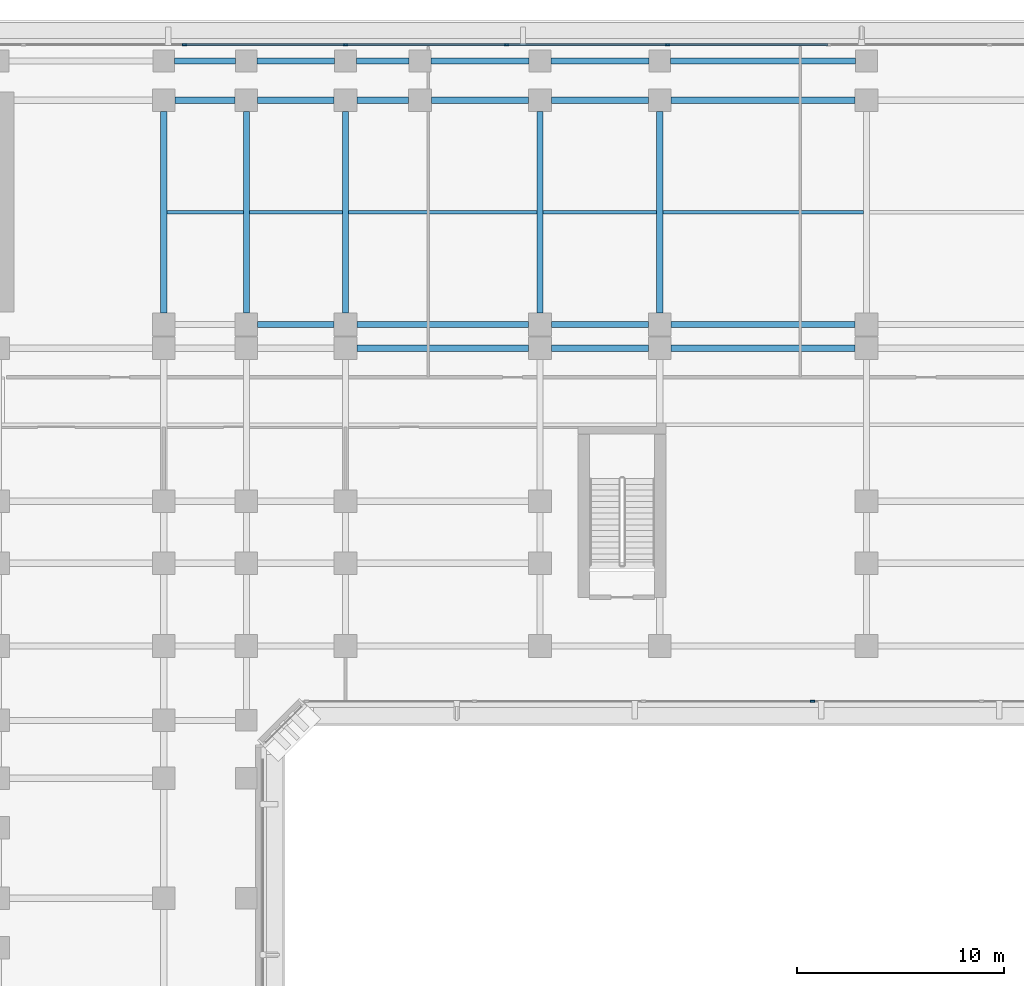
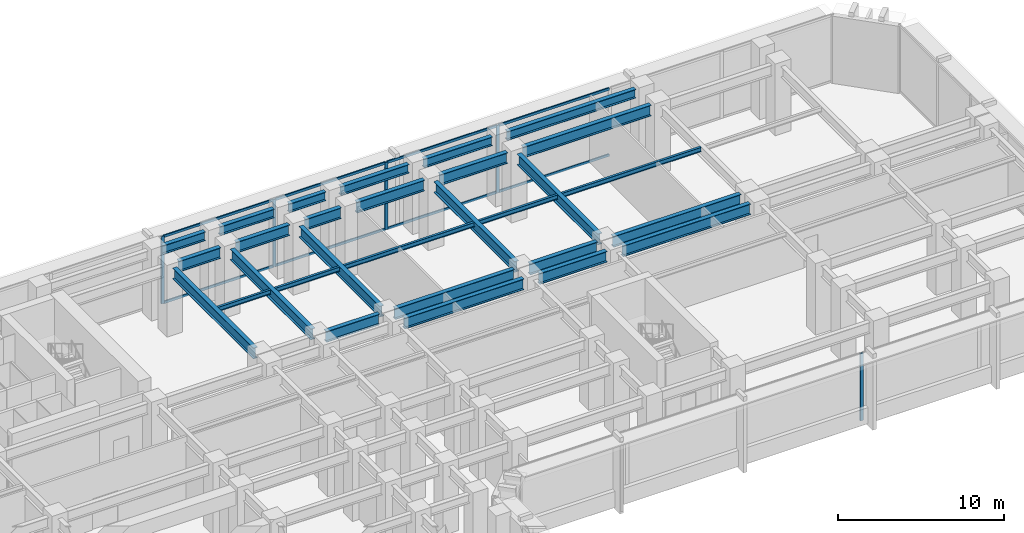
# One storey, part 6 of 20: 29 beams, 13 members, 2 elements without a shape of their own.
"""IFC4 building model written with IfcOpenShell, lengths in metres."""

import ifcopenshell
import ifcopenshell.guid

model = None  # the IFC model being written
_history = None  # IfcOwnerHistory: only IFC2X3 demands one
_inside = {}  # id of a spatial element -> (the spatial element, [elements in it])
_under = {}  # id of a project, library or spatial element -> (it, [spatial elements below it])
_declared = {}  # id of a project -> (the project, [libraries it declares])
_typed = {}  # id of a type object -> (the type object, [elements of that type])
_made_of = {}  # id of a material, layer set ... -> (it, [elements and type objects made of it])


def new_model(schema):
    """Start an empty IFC model of exactly this schema.

    Asked for "IFC4X3", IfcOpenShell would pick the latest addendum, in which some entities
    have other attributes; the version numbers below select the first issue.
    IFC2X3 requires an IfcOwnerHistory on every rooted entity: one is made here for all.
    """
    global model, _history
    if schema == "IFC4X3":
        model = ifcopenshell.file(schema_version=(4, 3, 0, 0))
    else:
        model = ifcopenshell.file(schema=schema)
    _inside.clear()
    _under.clear()
    _declared.clear()
    _typed.clear()
    _made_of.clear()
    _history = None
    if model.schema == "IFC2X3":
        org = make("IfcOrganization", Name="unknown")
        user = make(
            "IfcPersonAndOrganization",
            ThePerson=make("IfcPerson", FamilyName="unknown"),
            TheOrganization=org,
        )
        app = make(
            "IfcApplication",
            ApplicationDeveloper=org,
            Version="unknown",
            ApplicationFullName="unknown",
            ApplicationIdentifier="unknown",
        )
        _history = make(
            "IfcOwnerHistory",
            OwningUser=user,
            OwningApplication=app,
            ChangeAction="ADDED",
            CreationDate=0,
        )
    return model


def make(cls, **values):
    """One entity of the class cls with the attributes given. An attribute that is None is left unset."""
    return model.create_entity(
        cls, **{name: value for name, value in values.items() if value is not None}
    )


def rooted(cls, **values):
    """An entity with a GlobalId (a new one), such as an element, a storey or a relation."""
    return make(cls, GlobalId=ifcopenshell.guid.new(), OwnerHistory=_history, **values)


def si_unit(unit_type, name, prefix=None):
    """IfcSIUnit, for example si_unit("LENGTHUNIT", "METRE", prefix="MILLI")."""
    return make("IfcSIUnit", UnitType=unit_type, Prefix=prefix, Name=name)


def assignment(units):
    """IfcUnitAssignment: the units of a project."""
    return None if units is None else make("IfcUnitAssignment", Units=units)


def point(xyz):
    """IfcCartesianPoint."""
    return None if xyz is None else make("IfcCartesianPoint", Coordinates=xyz)


def direction(xyz):
    """IfcDirection."""
    return None if xyz is None else make("IfcDirection", DirectionRatios=xyz)


def frame(location, z_axis=None, x_axis=None):
    """IfcAxis2Placement3D, a coordinate frame: its origin and axes. An axis left out is left unset."""
    return make(
        "IfcAxis2Placement3D",
        Location=point(location),
        Axis=direction(z_axis),
        RefDirection=direction(x_axis),
    )


def frame_2d(location, x_axis=None):
    """IfcAxis2Placement2D, a coordinate frame in the plane: its origin and x axis."""
    return make(
        "IfcAxis2Placement2D", Location=point(location), RefDirection=direction(x_axis)
    )


def origin():
    """The frame at (0, 0, 0) with its axes left unset."""
    return frame((0.0, 0.0, 0.0))


def origin_2d():
    """The frame at (0, 0) in the plane with its x axis left unset."""
    return frame_2d((0.0, 0.0))


def place(relative_to, where):
    """IfcLocalPlacement: puts the frame where relative to a parent placement (None: the world)."""
    return make(
        "IfcLocalPlacement", PlacementRelTo=relative_to, RelativePlacement=where
    )


def context(
    kind, dimensions, precision=None, world=None, true_north=None, identifier=None
):
    """IfcGeometricRepresentationContext, for example the 3D "Model" context."""
    return make(
        "IfcGeometricRepresentationContext",
        ContextIdentifier=identifier,
        ContextType=kind,
        CoordinateSpaceDimension=dimensions,
        Precision=precision,
        WorldCoordinateSystem=world,
        TrueNorth=true_north,
    )


def subcontext(parent, identifier, kind, view, scale=None):
    """IfcGeometricRepresentationSubContext, for example "Body" below "Model"."""
    return make(
        "IfcGeometricRepresentationSubContext",
        ContextIdentifier=identifier,
        ContextType=kind,
        ParentContext=parent,
        TargetScale=scale,
        TargetView=view,
    )


def project(units=None, contexts=None):
    """IfcProject with its units and contexts."""
    return rooted(
        "IfcProject",
        Name="project",
        RepresentationContexts=contexts,
        UnitsInContext=assignment(units),
    )


def spatial(cls, under=None, at=None, **own):
    """A site, building, storey or space (cls), placed at a placement, below another one or the project."""
    s = rooted(cls, ObjectPlacement=at, **own)
    if under is not None:
        _under.setdefault(under.id(), (under, []))[1].append(s)
    return s


def profile(cls, at=None, kind="AREA", **sizes):
    """A parametric profile (cls). Its sizes go by their IFC names, for example OverallWidth=200.0."""
    return make(cls, ProfileType=kind, Position=at, **sizes)


def rectangle(**sizes):
    """IfcRectangleProfileDef."""
    return profile("IfcRectangleProfileDef", **sizes)


def i_section(**sizes):
    """IfcIShapeProfileDef."""
    return profile("IfcIShapeProfileDef", **sizes)


def extrude(swept, where, along, depth):
    """IfcExtrudedAreaSolid: the profile swept, set in the frame where, extruded along a direction by depth."""
    return make(
        "IfcExtrudedAreaSolid",
        SweptArea=swept,
        Position=where,
        ExtrudedDirection=direction(along),
        Depth=depth,
    )


def shape(context_of_items, identifier, shape_type, items):
    """IfcShapeRepresentation: the items that make up one representation, for example the "Body"."""
    return make(
        "IfcShapeRepresentation",
        ContextOfItems=context_of_items,
        RepresentationIdentifier=identifier,
        RepresentationType=shape_type,
        Items=items,
    )


def material(Name=None, Category=None):
    """IfcMaterial."""
    return make("IfcMaterial", Name=Name, Category=Category)


def layer(
    of_material, thickness, ventilated=None, Name=None, Category=None, Priority=None
):
    """IfcMaterialLayer: one layer of a wall or slab, of a material (None: an air gap)."""
    return make(
        "IfcMaterialLayer",
        Material=of_material,
        LayerThickness=thickness,
        IsVentilated=ventilated,
        Name=Name,
        Category=Category,
        Priority=Priority,
    )


def layer_set(layers, Name=None):
    """IfcMaterialLayerSet."""
    return make("IfcMaterialLayerSet", MaterialLayers=layers, LayerSetName=Name)


def material_profile(
    of_material, cross_section, Name=None, Category=None, Priority=None
):
    """IfcMaterialProfile: a cross section and its material."""
    return make(
        "IfcMaterialProfile",
        Name=Name,
        Material=of_material,
        Profile=cross_section,
        Priority=Priority,
        Category=Category,
    )


def profile_set(profiles, Name=None, composite=None):
    """IfcMaterialProfileSet."""
    return make(
        "IfcMaterialProfileSet",
        Name=Name,
        MaterialProfiles=profiles,
        CompositeProfile=composite,
    )


def made_of(thing, what):
    """Note that an element or type object is made of a material, layer set ...; save() writes the relation."""
    if what is not None:
        _made_of.setdefault(what.id(), (what, []))[1].append(thing)
    return thing


def type_object(cls, material=None, **own):
    """A type object (cls), such as IfcWallType, which elements share."""
    return made_of(rooted(cls, **own), material)


def element(
    cls,
    number,
    at=None,
    inside=None,
    cuts=None,
    type_object=None,
    material=None,
    context=None,
    identifier="Body",
    shape_type=None,
    held_by="IfcProductDefinitionShape",
    body=None,
    shapes=None,
    **own,
):
    """One element of the class cls, such as IfcWall. Its Tag is "e" and its number.

    at: its placement. inside: the storey or other place that contains it. cuts: it is an
    opening in that element (IfcRelVoidsElement). A single representation is given by context,
    identifier, shape_type and body (its items); several are given by shapes. held_by: the class
    of the entity that holds the representations. save() writes the other relations.
    """
    e = rooted(cls, Tag="e%d" % number, ObjectPlacement=at, **own)
    if body is not None:
        shapes = [shape(context, identifier, shape_type, body)]
    if shapes is not None:
        e.Representation = make(held_by, Representations=shapes)
    if inside is not None:
        _inside.setdefault(inside.id(), (inside, []))[1].append(e)
    if cuts is not None:
        rooted(
            "IfcRelVoidsElement", RelatingBuildingElement=cuts, RelatedOpeningElement=e
        )
    if type_object is not None:
        _typed.setdefault(type_object.id(), (type_object, []))[1].append(e)
    return made_of(e, material)


def aggregate(whole, parts):
    """IfcRelAggregates: a whole, such as a stair, and the parts it consists of."""
    return rooted("IfcRelAggregates", RelatingObject=whole, RelatedObjects=parts)


def save(model, path):
    """Write the relations noted so far, then the file.

    IfcRelAggregates (storeys below a building ...), IfcRelContainedInSpatialStructure (elements
    in a storey), IfcRelDefinesByType, IfcRelAssociatesMaterial and IfcRelDeclares: one each for
    every whole, place, type object, material and project.
    """
    for whole, parts in _under.values():
        aggregate(whole, parts)
    for where, things in _inside.values():
        rooted(
            "IfcRelContainedInSpatialStructure",
            RelatedElements=things,
            RelatingStructure=where,
        )
    for kind, things in _typed.values():
        rooted("IfcRelDefinesByType", RelatedObjects=things, RelatingType=kind)
    for what, things in _made_of.values():
        rooted("IfcRelAssociatesMaterial", RelatedObjects=things, RelatingMaterial=what)
    for by, libraries in _declared.values():
        rooted("IfcRelDeclares", RelatingContext=by, RelatedDefinitions=libraries)
    model.write(path)


model = new_model("IFC4")

# Units and contexts
model_context = context("Model", 3, precision=1e-05, world=origin(), true_north=direction((0.0, 1.0)))
body_context = subcontext(model_context, "Body", "Model", "MODEL_VIEW")
ifc_project = project(units=[si_unit("LENGTHUNIT", "METRE"), si_unit("AREAUNIT", "SQUARE_METRE"), si_unit("VOLUMEUNIT", "CUBIC_METRE"), si_unit("PLANEANGLEUNIT", "RADIAN"), si_unit("MASSUNIT", "GRAM", prefix="KILO")], contexts=[model_context])

# Site, building, storey
site_placement = place(None, origin())
site = spatial("IfcSite", under=ifc_project, at=site_placement, CompositionType="ELEMENT")
building_placement = place(site_placement, origin())
building = spatial("IfcBuilding", under=site, at=building_placement, Name="Kefirva Bronze Tower", CompositionType="ELEMENT")
storey_placement = place(building_placement, frame((0.0, 0.0, 5.93994140625)))
storey = spatial("IfcBuildingStorey", under=building, at=storey_placement, Name="L01", CompositionType="ELEMENT", Elevation=5.93994140625)

# Curtain wall, member
ifc_material_1 = material(Name="Bronze anodised aluminium", Category="aluminium")
ifc_layer = layer(ifc_material_1, 0.239990234375, Name="Bronze anodised aluminium")
ifc_layer_set = layer_set([ifc_layer], Name="Bronze anodised aluminium")
curtain_wall_type = type_object("IfcCurtainWallType", Name="Podium Double-Height Glazed Curtain Wall", PredefinedType="USERDEFINED", material=ifc_layer_set)
curtain_wall_1_placement = place(storey_placement, origin())
curtain_wall_1 = element("IfcCurtainWall", 1, at=curtain_wall_1_placement, inside=storey, type_object=curtain_wall_type, Name="L01 Curtain Wall 2", ObjectType="UNITISED CURTAIN WALL", PredefinedType="USERDEFINED")
ifc_material_profile_1 = material_profile(ifc_material_1, rectangle(XDim=0.090087890625, YDim=0.219970703125, at=origin_2d()), Name="ALU 90x220")
ifc_profile_set_1 = profile_set([ifc_material_profile_1], Name="Bronze anodised aluminium")
member_type_1 = type_object("IfcMemberType", Name="Bronze Mullion 90x220", PredefinedType="MULLION", material=ifc_profile_set_1)
member_1_placement = place(storey_placement, frame((62.589111328125, 16.1201171875, 0.0), z_axis=(0.0, 0.0, 1.0), x_axis=(0.0, 1.0, 0.0)))
member_1 = element("IfcMember", 2, at=member_1_placement, type_object=member_type_1, Name="CW-05 mullion 4", PredefinedType="MULLION", context=body_context, shape_type="SweptSolid", body=[
    extrude(rectangle(XDim=0.090087890625, YDim=0.219970703125, at=origin_2d()), origin(), (0.0, 0.0, 1.0), 4.9599609375),
])
aggregate(curtain_wall_1, [member_1])

# Curtain wall, members
curtain_wall_2_placement = place(storey_placement, origin())
curtain_wall_2 = element("IfcCurtainWall", 3, at=curtain_wall_2_placement, inside=storey, type_object=curtain_wall_type, Name="L01 Curtain Wall 4", ObjectType="UNITISED CURTAIN WALL", PredefinedType="USERDEFINED")
member_2_placement = place(storey_placement, frame((55.577880859375, 47.8798828125, 0.0), z_axis=(0.0, 0.0, 1.0), x_axis=(0.0, -1.0, 0.0)))
member_2 = element("IfcMember", 4, at=member_2_placement, type_object=member_type_1, Name="CW-05 mullion 4", PredefinedType="MULLION", context=body_context, shape_type="SweptSolid", body=[
    extrude(rectangle(XDim=0.090087890625, YDim=0.219970703125, at=origin_2d()), origin(), (0.0, 0.0, 1.0), 4.9599609375),
])
member_3_placement = place(storey_placement, frame((47.7890625, 47.8798828125, 0.0), z_axis=(0.0, 0.0, 1.0), x_axis=(0.0, -1.0, 0.0)))
member_3 = element("IfcMember", 5, at=member_3_placement, type_object=member_type_1, Name="CW-05 mullion 5", PredefinedType="MULLION", context=body_context, shape_type="SweptSolid", body=[
    extrude(rectangle(XDim=0.090087890625, YDim=0.219970703125, at=origin_2d()), origin(), (0.0, 0.0, 1.0), 4.9599609375),
])
member_4_placement = place(storey_placement, frame((40.0, 47.8798828125, 0.0), z_axis=(0.0, 0.0, 1.0), x_axis=(0.0, -1.0, 0.0)))
member_4 = element("IfcMember", 6, at=member_4_placement, type_object=member_type_1, Name="CW-05 mullion 6", PredefinedType="MULLION", context=body_context, shape_type="SweptSolid", body=[
    extrude(rectangle(XDim=0.090087890625, YDim=0.219970703125, at=origin_2d()), origin(), (0.0, 0.0, 1.0), 4.9599609375),
])
member_5_placement = place(storey_placement, frame((32.2109375, 47.8798828125, 0.0), z_axis=(0.0, 0.0, 1.0), x_axis=(0.0, -1.0, 0.0)))
member_5 = element("IfcMember", 7, at=member_5_placement, type_object=member_type_1, Name="CW-05 mullion 7", PredefinedType="MULLION", context=body_context, shape_type="SweptSolid", body=[
    extrude(rectangle(XDim=0.090087890625, YDim=0.219970703125, at=origin_2d()), origin(), (0.0, 0.0, 1.0), 4.9599609375),
])
ifc_material_profile_2 = material_profile(ifc_material_1, rectangle(XDim=0.090087890625, YDim=0.179931640625, at=origin_2d()), Name="ALU 90x180")
ifc_profile_set_2 = profile_set([ifc_material_profile_2], Name="Bronze anodised aluminium")
member_type_2 = type_object("IfcMemberType", Name="Bronze Transom 90x180", PredefinedType="USERDEFINED", material=ifc_profile_set_2)
member_6_placement = place(storey_placement, frame((63.322021484375, 47.8798828125, 0.045166015625), z_axis=(-1.0, 0.0, 0.0), x_axis=(0.0, -1.0, 0.0)))
member_6 = element("IfcMember", 8, at=member_6_placement, type_object=member_type_2, Name="CW-05 transom 3.1", ObjectType="TRANSOM", PredefinedType="USERDEFINED", context=body_context, shape_type="SweptSolid", body=[
    extrude(rectangle(XDim=0.090087890625, YDim=0.179931640625, at=origin_2d()), origin(), (0.0, 0.0, 1.0), 7.698974609375),
])
member_7_placement = place(storey_placement, frame((63.322021484375, 47.8798828125, 4.9150390625), z_axis=(-1.0, 0.0, 0.0), x_axis=(0.0, -1.0, 0.0)))
member_7 = element("IfcMember", 9, at=member_7_placement, type_object=member_type_2, Name="CW-05 transom 3.2", ObjectType="TRANSOM", PredefinedType="USERDEFINED", context=body_context, shape_type="SweptSolid", body=[
    extrude(rectangle(XDim=0.090087890625, YDim=0.179931640625, at=origin_2d()), origin(), (0.0, 0.0, 1.0), 7.698974609375),
])
member_8_placement = place(storey_placement, frame((55.532958984375, 47.8798828125, 0.045166015625), z_axis=(-1.0, 0.0, 0.0), x_axis=(0.0, -1.0, 0.0)))
member_8 = element("IfcMember", 10, at=member_8_placement, type_object=member_type_2, Name="CW-05 transom 4.1", ObjectType="TRANSOM", PredefinedType="USERDEFINED", context=body_context, shape_type="SweptSolid", body=[
    extrude(rectangle(XDim=0.090087890625, YDim=0.179931640625, at=origin_2d()), origin(), (0.0, 0.0, 1.0), 7.698974609375),
])
member_9_placement = place(storey_placement, frame((55.532958984375, 47.8798828125, 4.9150390625), z_axis=(-1.0, 0.0, 0.0), x_axis=(0.0, -1.0, 0.0)))
member_9 = element("IfcMember", 11, at=member_9_placement, type_object=member_type_2, Name="CW-05 transom 4.2", ObjectType="TRANSOM", PredefinedType="USERDEFINED", context=body_context, shape_type="SweptSolid", body=[
    extrude(rectangle(XDim=0.090087890625, YDim=0.179931640625, at=origin_2d()), origin(), (0.0, 0.0, 1.0), 7.698974609375),
])
member_10_placement = place(storey_placement, frame((47.743896484375, 47.8798828125, 0.045166015625), z_axis=(-1.0, 0.0, 0.0), x_axis=(0.0, -1.0, 0.0)))
member_10 = element("IfcMember", 12, at=member_10_placement, type_object=member_type_2, Name="CW-05 transom 5.1", ObjectType="TRANSOM", PredefinedType="USERDEFINED", context=body_context, shape_type="SweptSolid", body=[
    extrude(rectangle(XDim=0.090087890625, YDim=0.179931640625, at=origin_2d()), origin(), (0.0, 0.0, 1.0), 7.698974609375),
])
member_11_placement = place(storey_placement, frame((47.743896484375, 47.8798828125, 4.9150390625), z_axis=(-1.0, 0.0, 0.0), x_axis=(0.0, -1.0, 0.0)))
member_11 = element("IfcMember", 13, at=member_11_placement, type_object=member_type_2, Name="CW-05 transom 5.2", ObjectType="TRANSOM", PredefinedType="USERDEFINED", context=body_context, shape_type="SweptSolid", body=[
    extrude(rectangle(XDim=0.090087890625, YDim=0.179931640625, at=origin_2d()), origin(), (0.0, 0.0, 1.0), 7.698974609375),
])
member_12_placement = place(storey_placement, frame((39.955078125, 47.8798828125, 0.045166015625), z_axis=(-1.0, 0.0, 0.0), x_axis=(0.0, -1.0, 0.0)))
member_12 = element("IfcMember", 14, at=member_12_placement, type_object=member_type_2, Name="CW-05 transom 6.1", ObjectType="TRANSOM", PredefinedType="USERDEFINED", context=body_context, shape_type="SweptSolid", body=[
    extrude(rectangle(XDim=0.090087890625, YDim=0.179931640625, at=origin_2d()), origin(), (0.0, 0.0, 1.0), 7.698974609375),
])
member_13_placement = place(storey_placement, frame((39.955078125, 47.8798828125, 4.9150390625), z_axis=(-1.0, 0.0, 0.0), x_axis=(0.0, -1.0, 0.0)))
member_13 = element("IfcMember", 15, at=member_13_placement, type_object=member_type_2, Name="CW-05 transom 6.2", ObjectType="TRANSOM", PredefinedType="USERDEFINED", context=body_context, shape_type="SweptSolid", body=[
    extrude(rectangle(XDim=0.090087890625, YDim=0.179931640625, at=origin_2d()), origin(), (0.0, 0.0, 1.0), 7.698974609375),
])
aggregate(curtain_wall_2, [member_2, member_3, member_4, member_5, member_6, member_7, member_8, member_9, member_10, member_11, member_12, member_13])

# Beams
ifc_material_2 = material(Name="Steel S355", Category="steel")
ifc_material_profile_3 = material_profile(ifc_material_2, i_section(OverallWidth=0.159912109375, OverallDepth=0.330078125, WebThickness=0.007568359375, FlangeThickness=0.011474609375, at=origin_2d()), Name="IPE 330")
ifc_profile_set_3 = profile_set([ifc_material_profile_3], Name="Steel S355")
beam_type_1 = type_object("IfcBeamType", Name="Steel Floor Joist IPE 330", PredefinedType="JOIST", material=ifc_profile_set_3)
beam_1_placement = place(storey_placement, frame((31.35009765625, 39.77490234375, 4.795166015625), z_axis=(1.0, 0.0, 0.0), x_axis=(0.0, 1.0, 0.0)))
element("IfcBeam", 16, at=beam_1_placement, inside=storey, type_object=beam_type_1, Name="L01 JST-L01-31-397", PredefinedType="JOIST", context=body_context, shape_type="SweptSolid", body=[
    extrude(i_section(OverallWidth=0.159912109375, OverallDepth=0.330078125, WebThickness=0.007568359375, FlangeThickness=0.011474609375, at=origin_2d()), origin(), (0.0, 0.0, 1.0), 3.699951171875),
])
beam_2_placement = place(storey_placement, frame((35.35009765625, 39.77490234375, 4.795166015625), z_axis=(1.0, 0.0, 0.0), x_axis=(0.0, 1.0, 0.0)))
element("IfcBeam", 17, at=beam_2_placement, inside=storey, type_object=beam_type_1, Name="L01 JST-L01-35-397", PredefinedType="JOIST", context=body_context, shape_type="SweptSolid", body=[
    extrude(i_section(OverallWidth=0.159912109375, OverallDepth=0.330078125, WebThickness=0.007568359375, FlangeThickness=0.011474609375, at=origin_2d()), origin(), (0.0, 0.0, 1.0), 4.5),
])
beam_3_placement = place(storey_placement, frame((40.14990234375, 39.77490234375, 4.795166015625), z_axis=(1.0, 0.0, 0.0), x_axis=(0.0, 1.0, 0.0)))
element("IfcBeam", 18, at=beam_3_placement, inside=storey, type_object=beam_type_1, Name="L01 JST-L01-40-397", PredefinedType="JOIST", context=body_context, shape_type="SweptSolid", body=[
    extrude(i_section(OverallWidth=0.159912109375, OverallDepth=0.330078125, WebThickness=0.007568359375, FlangeThickness=0.011474609375, at=origin_2d()), origin(), (0.0, 0.0, 1.0), 9.10009765625),
])
beam_4_placement = place(storey_placement, frame((49.550048828125, 39.77490234375, 4.795166015625), z_axis=(1.0, 0.0, 0.0), x_axis=(0.0, 1.0, 0.0)))
element("IfcBeam", 19, at=beam_4_placement, inside=storey, type_object=beam_type_1, Name="L01 JST-L01-49-397", PredefinedType="JOIST", context=body_context, shape_type="SweptSolid", body=[
    extrude(i_section(OverallWidth=0.159912109375, OverallDepth=0.330078125, WebThickness=0.007568359375, FlangeThickness=0.011474609375, at=origin_2d()), origin(), (0.0, 0.0, 1.0), 5.5),
])
beam_5_placement = place(storey_placement, frame((55.35009765625, 39.77490234375, 4.795166015625), z_axis=(1.0, 0.0, 0.0), x_axis=(0.0, 1.0, 0.0)))
element("IfcBeam", 20, at=beam_5_placement, inside=storey, type_object=beam_type_1, Name="L01 JST-L01-55-397", PredefinedType="JOIST", context=body_context, shape_type="SweptSolid", body=[
    extrude(i_section(OverallWidth=0.159912109375, OverallDepth=0.330078125, WebThickness=0.007568359375, FlangeThickness=0.011474609375, at=origin_2d()), origin(), (0.0, 0.0, 1.0), 9.699951171875),
])
ifc_material_profile_4 = material_profile(ifc_material_2, i_section(OverallWidth=0.300048828125, OverallDepth=0.800048828125, WebThickness=0.017578125, FlangeThickness=0.032958984375, at=origin_2d()), Name="HEB 800")
ifc_profile_set_4 = profile_set([ifc_material_profile_4], Name="Steel S355")
beam_type_2 = type_object("IfcBeamType", Name="Steel Girder HEB 800", PredefinedType="USERDEFINED", material=ifc_profile_set_4)
beam_6_placement = place(storey_placement, frame((40.550048828125, 33.199951171875, 4.56005859375), z_axis=(1.0, 0.0, 0.0), x_axis=(0.0, 1.0, 0.0)))
element("IfcBeam", 21, at=beam_6_placement, inside=storey, type_object=beam_type_2, Name="L01 BM-L01-EW-40-332", ObjectType="GIRDER", PredefinedType="USERDEFINED", context=body_context, shape_type="SweptSolid", body=[
    extrude(i_section(OverallWidth=0.300048828125, OverallDepth=0.800048828125, WebThickness=0.017578125, FlangeThickness=0.032958984375, at=origin_2d()), origin(), (0.0, 0.0, 1.0), 8.300048828125),
])
beam_7_placement = place(storey_placement, frame((49.949951171875, 33.199951171875, 4.56005859375), z_axis=(1.0, 0.0, 0.0), x_axis=(0.0, 1.0, 0.0)))
element("IfcBeam", 22, at=beam_7_placement, inside=storey, type_object=beam_type_2, Name="L01 BM-L01-EW-49-332", ObjectType="GIRDER", PredefinedType="USERDEFINED", context=body_context, shape_type="SweptSolid", body=[
    extrude(i_section(OverallWidth=0.300048828125, OverallDepth=0.800048828125, WebThickness=0.017578125, FlangeThickness=0.032958984375, at=origin_2d()), origin(), (0.0, 0.0, 1.0), 4.699951171875),
])
beam_8_placement = place(storey_placement, frame((55.75, 33.199951171875, 4.56005859375), z_axis=(1.0, 0.0, 0.0), x_axis=(0.0, 1.0, 0.0)))
element("IfcBeam", 23, at=beam_8_placement, inside=storey, type_object=beam_type_2, Name="L01 BM-L01-EW-55-332", ObjectType="GIRDER", PredefinedType="USERDEFINED", context=body_context, shape_type="SweptSolid", body=[
    extrude(i_section(OverallWidth=0.300048828125, OverallDepth=0.800048828125, WebThickness=0.017578125, FlangeThickness=0.032958984375, at=origin_2d()), origin(), (0.0, 0.0, 1.0), 8.89990234375),
])
beam_9_placement = place(storey_placement, frame((35.75, 34.35009765625, 4.56005859375), z_axis=(1.0, 0.0, 0.0), x_axis=(0.0, 1.0, 0.0)))
element("IfcBeam", 24, at=beam_9_placement, inside=storey, type_object=beam_type_2, Name="L01 BM-L01-EW-35-344", ObjectType="GIRDER", PredefinedType="USERDEFINED", context=body_context, shape_type="SweptSolid", body=[
    extrude(i_section(OverallWidth=0.300048828125, OverallDepth=0.800048828125, WebThickness=0.017578125, FlangeThickness=0.032958984375, at=origin_2d()), origin(), (0.0, 0.0, 1.0), 3.699951171875),
])
beam_10_placement = place(storey_placement, frame((40.550048828125, 34.35009765625, 4.56005859375), z_axis=(1.0, 0.0, 0.0), x_axis=(0.0, 1.0, 0.0)))
element("IfcBeam", 25, at=beam_10_placement, inside=storey, type_object=beam_type_2, Name="L01 BM-L01-EW-40-344", ObjectType="GIRDER", PredefinedType="USERDEFINED", context=body_context, shape_type="SweptSolid", body=[
    extrude(i_section(OverallWidth=0.300048828125, OverallDepth=0.800048828125, WebThickness=0.017578125, FlangeThickness=0.032958984375, at=origin_2d()), origin(), (0.0, 0.0, 1.0), 8.300048828125),
])
beam_11_placement = place(storey_placement, frame((49.949951171875, 34.35009765625, 4.56005859375), z_axis=(1.0, 0.0, 0.0), x_axis=(0.0, 1.0, 0.0)))
element("IfcBeam", 26, at=beam_11_placement, inside=storey, type_object=beam_type_2, Name="L01 BM-L01-EW-49-344", ObjectType="GIRDER", PredefinedType="USERDEFINED", context=body_context, shape_type="SweptSolid", body=[
    extrude(i_section(OverallWidth=0.300048828125, OverallDepth=0.800048828125, WebThickness=0.017578125, FlangeThickness=0.032958984375, at=origin_2d()), origin(), (0.0, 0.0, 1.0), 4.699951171875),
])
beam_12_placement = place(storey_placement, frame((55.75, 34.35009765625, 4.56005859375), z_axis=(1.0, 0.0, 0.0), x_axis=(0.0, 1.0, 0.0)))
element("IfcBeam", 27, at=beam_12_placement, inside=storey, type_object=beam_type_2, Name="L01 BM-L01-EW-55-344", ObjectType="GIRDER", PredefinedType="USERDEFINED", context=body_context, shape_type="SweptSolid", body=[
    extrude(i_section(OverallWidth=0.300048828125, OverallDepth=0.800048828125, WebThickness=0.017578125, FlangeThickness=0.032958984375, at=origin_2d()), origin(), (0.0, 0.0, 1.0), 8.89990234375),
])
beam_13_placement = place(storey_placement, frame((31.75, 45.199951171875, 4.56005859375), z_axis=(1.0, 0.0, 0.0), x_axis=(0.0, 1.0, 0.0)))
element("IfcBeam", 28, at=beam_13_placement, inside=storey, type_object=beam_type_2, Name="L01 BM-L01-EW-31-452", ObjectType="GIRDER", PredefinedType="USERDEFINED", context=body_context, shape_type="SweptSolid", body=[
    extrude(i_section(OverallWidth=0.300048828125, OverallDepth=0.800048828125, WebThickness=0.017578125, FlangeThickness=0.032958984375, at=origin_2d()), origin(), (0.0, 0.0, 1.0), 2.89990234375),
])
beam_14_placement = place(storey_placement, frame((35.75, 45.199951171875, 4.56005859375), z_axis=(1.0, 0.0, 0.0), x_axis=(0.0, 1.0, 0.0)))
element("IfcBeam", 29, at=beam_14_placement, inside=storey, type_object=beam_type_2, Name="L01 BM-L01-EW-35-452", ObjectType="GIRDER", PredefinedType="USERDEFINED", context=body_context, shape_type="SweptSolid", body=[
    extrude(i_section(OverallWidth=0.300048828125, OverallDepth=0.800048828125, WebThickness=0.017578125, FlangeThickness=0.032958984375, at=origin_2d()), origin(), (0.0, 0.0, 1.0), 3.699951171875),
])
beam_15_placement = place(storey_placement, frame((40.550048828125, 45.199951171875, 4.56005859375), z_axis=(1.0, 0.0, 0.0), x_axis=(0.0, 1.0, 0.0)))
element("IfcBeam", 30, at=beam_15_placement, inside=storey, type_object=beam_type_2, Name="L01 BM-L01-EW-40-452", ObjectType="GIRDER", PredefinedType="USERDEFINED", context=body_context, shape_type="SweptSolid", body=[
    extrude(i_section(OverallWidth=0.300048828125, OverallDepth=0.800048828125, WebThickness=0.017578125, FlangeThickness=0.032958984375, at=origin_2d()), origin(), (0.0, 0.0, 1.0), 2.5),
])
beam_16_placement = place(storey_placement, frame((44.14990234375, 45.199951171875, 4.56005859375), z_axis=(1.0, 0.0, 0.0), x_axis=(0.0, 1.0, 0.0)))
element("IfcBeam", 31, at=beam_16_placement, inside=storey, type_object=beam_type_2, Name="L01 BM-L01-EW-43-452", ObjectType="GIRDER", PredefinedType="USERDEFINED", context=body_context, shape_type="SweptSolid", body=[
    extrude(i_section(OverallWidth=0.300048828125, OverallDepth=0.800048828125, WebThickness=0.017578125, FlangeThickness=0.032958984375, at=origin_2d()), origin(), (0.0, 0.0, 1.0), 4.7001953125),
])
beam_17_placement = place(storey_placement, frame((49.949951171875, 45.199951171875, 4.56005859375), z_axis=(1.0, 0.0, 0.0), x_axis=(0.0, 1.0, 0.0)))
element("IfcBeam", 32, at=beam_17_placement, inside=storey, type_object=beam_type_2, Name="L01 BM-L01-EW-49-452", ObjectType="GIRDER", PredefinedType="USERDEFINED", context=body_context, shape_type="SweptSolid", body=[
    extrude(i_section(OverallWidth=0.300048828125, OverallDepth=0.800048828125, WebThickness=0.017578125, FlangeThickness=0.032958984375, at=origin_2d()), origin(), (0.0, 0.0, 1.0), 4.699951171875),
])
beam_18_placement = place(storey_placement, frame((55.75, 45.199951171875, 4.56005859375), z_axis=(1.0, 0.0, 0.0), x_axis=(0.0, 1.0, 0.0)))
element("IfcBeam", 33, at=beam_18_placement, inside=storey, type_object=beam_type_2, Name="L01 BM-L01-EW-55-452", ObjectType="GIRDER", PredefinedType="USERDEFINED", context=body_context, shape_type="SweptSolid", body=[
    extrude(i_section(OverallWidth=0.300048828125, OverallDepth=0.800048828125, WebThickness=0.017578125, FlangeThickness=0.032958984375, at=origin_2d()), origin(), (0.0, 0.0, 1.0), 8.89990234375),
])
for number, where, z_axis, x_axis, name in (
    (34, (31.199951171875, 34.89990234375, 4.56005859375), (0.0, 1.0, 0.0), (-1.0, 0.0, 0.0), "L01 BM-L01-NS-312-34"),
    (35, (35.199951171875, 34.89990234375, 4.56005859375), (0.0, 1.0, 0.0), (-1.0, 0.0, 0.0), "L01 BM-L01-NS-352-34"),
    (36, (40.0, 34.89990234375, 4.56005859375), (0.0, 1.0, 0.0), (-1.0, 0.0, 0.0), "L01 BM-L01-NS-400-34"),
    (37, (49.39990234375, 34.89990234375, 4.56005859375), (0.0, 1.0, 0.0), (-1.0, 0.0, 0.0), "L01 BM-L01-NS-494-34"),
    (38, (55.199951171875, 34.89990234375, 4.56005859375), (0.0, 1.0, 0.0), (-1.0, 0.0, 0.0), "L01 BM-L01-NS-552-34"),
):
    element("IfcBeam", number, at=place(storey_placement, frame(where, z_axis=z_axis, x_axis=x_axis)), inside=storey, type_object=beam_type_2, Name=name, ObjectType="GIRDER", PredefinedType="USERDEFINED", context=body_context, shape_type="SweptSolid", body=[
        extrude(i_section(OverallWidth=0.300048828125, OverallDepth=0.800048828125, WebThickness=0.017578125, FlangeThickness=0.032958984375, at=origin_2d()), origin(), (0.0, 0.0, 1.0), 9.75),
    ])
ifc_material_profile_5 = material_profile(ifc_material_2, i_section(OverallWidth=0.300048828125, OverallDepth=0.64990234375, WebThickness=0.01611328125, FlangeThickness=0.031005859375, at=origin_2d()), Name="HEB 650")
ifc_profile_set_5 = profile_set([ifc_material_profile_5], Name="Steel S355")
beam_type_3 = type_object("IfcBeamType", Name="Steel Spandrel HEB 650 Ext", PredefinedType="SPANDREL", material=ifc_profile_set_5)
beam_19_placement = place(storey_placement, frame((31.72509765625, 47.10009765625, 4.635009765625), z_axis=(1.0, 0.0, 0.0), x_axis=(0.0, 1.0, 0.0)))
element("IfcBeam", 39, at=beam_19_placement, inside=storey, type_object=beam_type_3, Name="L01 BM-L01-EW-31-471", PredefinedType="SPANDREL", context=body_context, shape_type="SweptSolid", body=[
    extrude(i_section(OverallWidth=0.300048828125, OverallDepth=0.64990234375, WebThickness=0.01611328125, FlangeThickness=0.031005859375, at=origin_2d()), origin(), (0.0, 0.0, 1.0), 2.949951171875),
])
beam_20_placement = place(storey_placement, frame((35.72509765625, 47.10009765625, 4.635009765625), z_axis=(1.0, 0.0, 0.0), x_axis=(0.0, 1.0, 0.0)))
element("IfcBeam", 40, at=beam_20_placement, inside=storey, type_object=beam_type_3, Name="L01 BM-L01-EW-35-471", PredefinedType="SPANDREL", context=body_context, shape_type="SweptSolid", body=[
    extrude(i_section(OverallWidth=0.300048828125, OverallDepth=0.64990234375, WebThickness=0.01611328125, FlangeThickness=0.031005859375, at=origin_2d()), origin(), (0.0, 0.0, 1.0), 3.75),
])
beam_21_placement = place(storey_placement, frame((40.52490234375, 47.10009765625, 4.635009765625), z_axis=(1.0, 0.0, 0.0), x_axis=(0.0, 1.0, 0.0)))
element("IfcBeam", 41, at=beam_21_placement, inside=storey, type_object=beam_type_3, Name="L01 BM-L01-EW-40-471", PredefinedType="SPANDREL", context=body_context, shape_type="SweptSolid", body=[
    extrude(i_section(OverallWidth=0.300048828125, OverallDepth=0.64990234375, WebThickness=0.01611328125, FlangeThickness=0.031005859375, at=origin_2d()), origin(), (0.0, 0.0, 1.0), 2.550048828125),
])
for number, where, z_axis, x_axis, name in (
    (42, (44.125, 47.10009765625, 4.635009765625), (1.0, 0.0, 0.0), (0.0, 1.0, 0.0), "L01 BM-L01-EW-43-471"),
    (43, (49.925048828125, 47.10009765625, 4.635009765625), (1.0, 0.0, 0.0), (0.0, 1.0, 0.0), "L01 BM-L01-EW-49-471"),
):
    element("IfcBeam", number, at=place(storey_placement, frame(where, z_axis=z_axis, x_axis=x_axis)), inside=storey, type_object=beam_type_3, Name=name, PredefinedType="SPANDREL", context=body_context, shape_type="SweptSolid", body=[
        extrude(i_section(OverallWidth=0.300048828125, OverallDepth=0.64990234375, WebThickness=0.01611328125, FlangeThickness=0.031005859375, at=origin_2d()), origin(), (0.0, 0.0, 1.0), 4.75),
    ])
beam_22_placement = place(storey_placement, frame((55.72509765625, 47.10009765625, 4.635009765625), z_axis=(1.0, 0.0, 0.0), x_axis=(0.0, 1.0, 0.0)))
element("IfcBeam", 44, at=beam_22_placement, inside=storey, type_object=beam_type_3, Name="L01 BM-L01-EW-55-471", PredefinedType="SPANDREL", context=body_context, shape_type="SweptSolid", body=[
    extrude(i_section(OverallWidth=0.300048828125, OverallDepth=0.64990234375, WebThickness=0.01611328125, FlangeThickness=0.031005859375, at=origin_2d()), origin(), (0.0, 0.0, 1.0), 8.949951171875),
])

save(model, "model.ifc")
